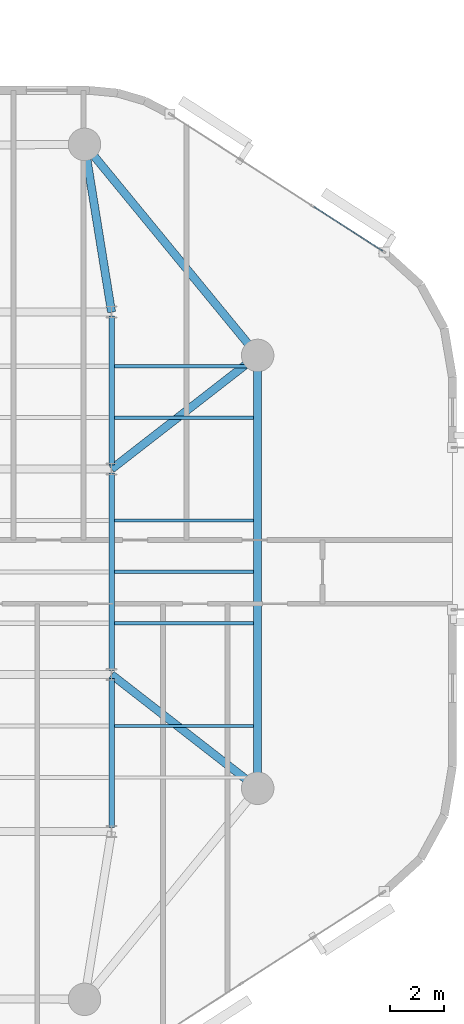
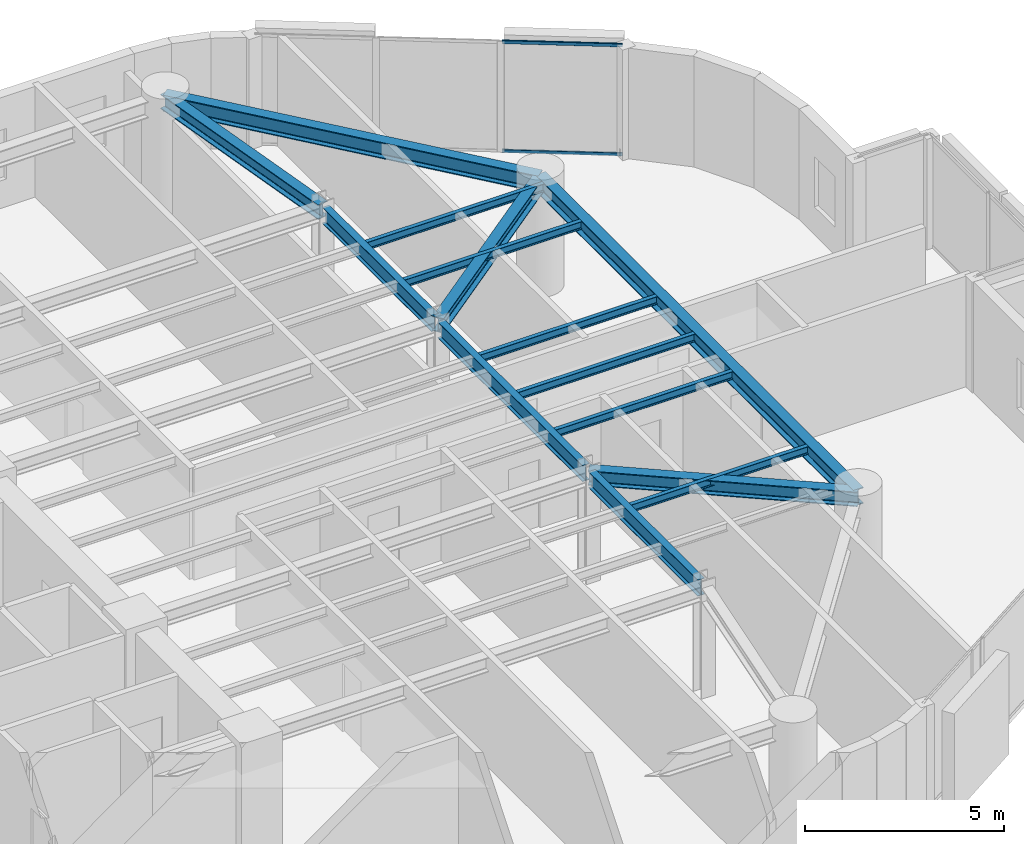
# One storey, part 3 of 13: 14 beams, 2 members, 1 element without a shape of its own.
"""IFC4 building model written with IfcOpenShell, lengths in metres."""

from ifc_helpers import new_model, si_unit, direction, frame, origin, origin_2d, place, context, subcontext, project, spatial, hollow_rectangle, i_section, extrude, material, layer, layer_set, material_profile, profile_set, type_object, element, aggregate, save


model = new_model("IFC4")

# Units and contexts
model_context = context("Model", 3, precision=1e-05, world=origin(), true_north=direction((0.0, 1.0)))
body_context = subcontext(model_context, "Body", "Model", "MODEL_VIEW")
ifc_project = project(units=[si_unit("LENGTHUNIT", "METRE"), si_unit("AREAUNIT", "SQUARE_METRE"), si_unit("VOLUMEUNIT", "CUBIC_METRE"), si_unit("PLANEANGLEUNIT", "RADIAN"), si_unit("MASSUNIT", "GRAM", prefix="KILO")], contexts=[model_context])

# Site, building, storey
site_placement = place(None, origin())
site = spatial("IfcSite", under=ifc_project, at=site_placement, CompositionType="ELEMENT")
building_placement = place(site_placement, origin())
building = spatial("IfcBuilding", under=site, at=building_placement, Name="An Khanh Terracotta Commons", CompositionType="ELEMENT")
storey_placement = place(building_placement, frame((0.0, 0.0, 183.39990234375)))
storey = spatial("IfcBuildingStorey", under=building, at=storey_placement, Name="L48", CompositionType="ELEMENT", Elevation=183.39990234375)

# Beams
ifc_material_1 = material(Name="Steel S355J2", Category="steel")
ifc_material_profile_1 = material_profile(ifc_material_1, i_section(OverallWidth=0.300048828125, OverallDepth=0.449951171875, WebThickness=0.013916015625, FlangeThickness=0.02587890625, FilletRadius=0.027099609375, at=origin_2d()), Name="HEB450")
ifc_profile_set_1 = profile_set([ifc_material_profile_1], Name="Steel S355J2")
beam_type_1 = type_object("IfcBeamType", Name="BM-HEB450", PredefinedType="BEAM", material=ifc_profile_set_1)
for number, where, z_axis, x_axis, name in (
    (1, (55.800048828125, 16.0, 3.175048828125), (-0.789363746927, 0.61392578952, 0.0), (-0.61392578952, -0.789363746927, 0.0), "L48 Mega-Column Tie Girder 3"),
    (2, (55.800048828125, 32.0, 3.175048828125), (-0.789363746927, -0.61392578952, 0.0), (0.61392578952, -0.789363746927, 0.0), "L48 Mega-Column Tie Girder 4"),
):
    element("IfcBeam", number, at=place(storey_placement, frame(where, z_axis=z_axis, x_axis=x_axis)), inside=storey, type_object=beam_type_1, Name=name, PredefinedType="BEAM", context=body_context, shape_type="SweptSolid", body=[
        extrude(i_section(OverallWidth=0.300048828125, OverallDepth=0.449951171875, WebThickness=0.013916015625, FlangeThickness=0.02587890625, FilletRadius=0.027099609375, at=origin_2d()), origin(), (0.0, 0.0, 1.0), 6.841064453125),
    ])
beam_1_placement = place(storey_placement, frame((49.39990234375, 39.800048828125, 3.175048828125), z_axis=(0.159233661074, -0.987240923575, 0.0), x_axis=(0.987240923575, 0.159233661074, 0.0)))
element("IfcBeam", 3, at=beam_1_placement, inside=storey, type_object=beam_type_1, Name="L48 Mega-Column Tie Girder 5", PredefinedType="BEAM", context=body_context, shape_type="SweptSolid", body=[
    extrude(i_section(OverallWidth=0.300048828125, OverallDepth=0.449951171875, WebThickness=0.013916015625, FlangeThickness=0.02587890625, FilletRadius=0.027099609375, at=origin_2d()), origin(), (0.0, 0.0, 1.0), 6.280029296875),
])
ifc_material_profile_2 = material_profile(ifc_material_1, i_section(OverallWidth=0.300048828125, OverallDepth=0.5, WebThickness=0.014404296875, FlangeThickness=0.028076171875, FilletRadius=0.027099609375, at=origin_2d()), Name="HEB500")
ifc_profile_set_2 = profile_set([ifc_material_profile_2], Name="Steel S355J2")
beam_type_2 = type_object("IfcBeamType", Name="BM-HEB500", PredefinedType="BEAM", material=ifc_profile_set_2)
beam_2_placement = place(storey_placement, frame((55.800048828125, 16.0, 3.150146484375), z_axis=(0.0, 1.0, 0.0), x_axis=(-1.0, 0.0, 0.0)))
element("IfcBeam", 4, at=beam_2_placement, inside=storey, type_object=beam_type_2, Name="L48 Perimeter Ring Spandrel 3", PredefinedType="BEAM", context=body_context, shape_type="SweptSolid", body=[
    extrude(i_section(OverallWidth=0.300048828125, OverallDepth=0.5, WebThickness=0.014404296875, FlangeThickness=0.028076171875, FilletRadius=0.027099609375, at=origin_2d()), origin(), (0.0, 0.0, 1.0), 16.0),
])
beam_3_placement = place(storey_placement, frame((55.800048828125, 32.0, 3.150146484375), z_axis=(-0.634322915223, 0.7730681983, 0.0), x_axis=(-0.7730681983, -0.634322915223, 0.0)))
element("IfcBeam", 5, at=beam_3_placement, inside=storey, type_object=beam_type_2, Name="L48 Perimeter Ring Spandrel 4", PredefinedType="BEAM", context=body_context, shape_type="SweptSolid", body=[
    extrude(i_section(OverallWidth=0.300048828125, OverallDepth=0.5, WebThickness=0.014404296875, FlangeThickness=0.028076171875, FilletRadius=0.027099609375, at=origin_2d()), origin(), (0.0, 0.0, 1.0), 10.08984375),
])
ifc_material_profile_3 = material_profile(ifc_material_1, i_section(OverallWidth=0.1201171875, OverallDepth=0.239990234375, WebThickness=0.006103515625, FlangeThickness=0.009765625, FilletRadius=0.014892578125, at=origin_2d()), Name="IPE240")
ifc_profile_set_3 = profile_set([ifc_material_profile_3], Name="Steel S355J2")
beam_type_3 = type_object("IfcBeamType", Name="BM-IPE240", PredefinedType="JOIST", material=ifc_profile_set_3)
for number, where, z_axis, x_axis, name in (
    (6, (50.5, 18.300048828125, 3.280029296875), (1.0, 0.0, 0.0), (0.0, 1.0, 0.0), "L48 Riverfront Composite Joist 2"),
    (7, (50.5, 22.10009765625, 3.280029296875), (1.0, 0.0, 0.0), (0.0, 1.0, 0.0), "L48 Riverfront Composite Joist 3"),
    (8, (50.5, 24.0, 3.280029296875), (1.0, 0.0, 0.0), (0.0, 1.0, 0.0), "L48 Riverfront Composite Joist 4"),
    (9, (50.5, 25.89990234375, 3.280029296875), (1.0, 0.0, 0.0), (0.0, 1.0, 0.0), "L48 Riverfront Composite Joist 5"),
    (10, (50.5, 29.699951171875, 3.280029296875), (1.0, 0.0, 0.0), (0.0, 1.0, 0.0), "L48 Riverfront Composite Joist 6"),
    (11, (50.5, 31.60009765625, 3.280029296875), (1.0, 0.0, 0.0), (0.0, 1.0, 0.0), "L48 Riverfront Composite Joist 7"),
):
    element("IfcBeam", number, at=place(storey_placement, frame(where, z_axis=z_axis, x_axis=x_axis)), inside=storey, type_object=beam_type_3, Name=name, PredefinedType="JOIST", context=body_context, shape_type="SweptSolid", body=[
        extrude(i_section(OverallWidth=0.1201171875, OverallDepth=0.239990234375, WebThickness=0.006103515625, FlangeThickness=0.009765625, FilletRadius=0.014892578125, at=origin_2d()), origin(), (0.0, 0.0, 1.0), 5.14990234375),
    ])
ifc_material_profile_4 = material_profile(ifc_material_1, i_section(OverallWidth=0.199951171875, OverallDepth=0.5, WebThickness=0.01025390625, FlangeThickness=0.01611328125, FilletRadius=0.02099609375, at=origin_2d()), Name="IPE500")
ifc_profile_set_4 = profile_set([ifc_material_profile_4], Name="Steel S355J2")
beam_type_4 = type_object("IfcBeamType", Name="BM-IPE500", PredefinedType="BEAM", material=ifc_profile_set_4)
beam_4_placement = place(storey_placement, frame((50.39990234375, 14.550048828125, 3.150146484375), z_axis=(0.0, 1.0, 0.0), x_axis=(-1.0, 0.0, 0.0)))
element("IfcBeam", 12, at=beam_4_placement, inside=storey, type_object=beam_type_4, Name="L48 East Spine Girder 1", PredefinedType="BEAM", context=body_context, shape_type="SweptSolid", body=[
    extrude(i_section(OverallWidth=0.199951171875, OverallDepth=0.5, WebThickness=0.01025390625, FlangeThickness=0.01611328125, FilletRadius=0.02099609375, at=origin_2d()), origin(), (0.0, 0.0, 1.0), 5.5),
])
beam_5_placement = place(storey_placement, frame((50.39990234375, 20.35009765625, 3.150146484375), z_axis=(0.0, 1.0, 0.0), x_axis=(-1.0, 0.0, 0.0)))
element("IfcBeam", 13, at=beam_5_placement, inside=storey, type_object=beam_type_4, Name="L48 East Spine Girder 2", PredefinedType="BEAM", context=body_context, shape_type="SweptSolid", body=[
    extrude(i_section(OverallWidth=0.199951171875, OverallDepth=0.5, WebThickness=0.01025390625, FlangeThickness=0.01611328125, FilletRadius=0.02099609375, at=origin_2d()), origin(), (0.0, 0.0, 1.0), 7.2998046875),
])
beam_6_placement = place(storey_placement, frame((50.39990234375, 27.949951171875, 3.150146484375), z_axis=(0.0, 1.0, 0.0), x_axis=(-1.0, 0.0, 0.0)))
element("IfcBeam", 14, at=beam_6_placement, inside=storey, type_object=beam_type_4, Name="L48 East Spine Girder 3", PredefinedType="BEAM", context=body_context, shape_type="SweptSolid", body=[
    extrude(i_section(OverallWidth=0.199951171875, OverallDepth=0.5, WebThickness=0.01025390625, FlangeThickness=0.01611328125, FilletRadius=0.02099609375, at=origin_2d()), origin(), (0.0, 0.0, 1.0), 5.5),
])

# Curtain wall, members
ifc_material_2 = material(Name="Anodised Aluminium 6063-T6", Category="aluminium")
ifc_layer = layer(ifc_material_2, 0.2099609375, Name="Anodised Aluminium 6063-T6")
ifc_layer_set = layer_set([ifc_layer], Name="Anodised Aluminium 6063-T6")
curtain_wall_type = type_object("IfcCurtainWallType", Name="CW-SYS-03", PredefinedType="USERDEFINED", material=ifc_layer_set)
curtain_wall_placement = place(storey_placement, origin())
curtain_wall = element("IfcCurtainWall", 15, at=curtain_wall_placement, inside=storey, type_object=curtain_wall_type, Name="L48 CW-03 Unitised Curtain Wall CW-L48-16", ObjectType="UNITISED CURTAIN WALL", PredefinedType="USERDEFINED")
ifc_material_profile_5 = material_profile(ifc_material_2, hollow_rectangle(XDim=0.050048828125, YDim=0.10009765625, WallThickness=0.003173828125, InnerFilletRadius=0.003173828125, OuterFilletRadius=0.00634765625, at=origin_2d()), Name="RHS100x50x3.2")
ifc_profile_set_5 = profile_set([ifc_material_profile_5], Name="Anodised Aluminium 6063-T6")
member_type = type_object("IfcMemberType", Name="CWT-RHS100x50x3.2", PredefinedType="USERDEFINED", material=ifc_profile_set_5)
member_1_placement = place(storey_placement, frame((60.419189453125, 35.86181640625, 0.025146484375), z_axis=(-0.840673595852, 0.541542154626, 0.0), x_axis=(-0.541542154626, -0.840673595852, 0.0)))
member_1 = element("IfcMember", 16, at=member_1_placement, type_object=member_type, Name="CW-03 transom 1.1", ObjectType="TRANSOM", PredefinedType="USERDEFINED", context=body_context, shape_type="SweptSolid", body=[
    extrude(hollow_rectangle(XDim=0.050048828125, YDim=0.10009765625, WallThickness=0.003173828125, InnerFilletRadius=0.003173828125, OuterFilletRadius=0.00634765625, at=origin_2d()), origin(), (0.0, 0.0, 1.0), 3.034423828125),
])
member_2_placement = place(storey_placement, frame((60.419189453125, 35.86181640625, 3.375), z_axis=(-0.840673595852, 0.541542154626, 0.0), x_axis=(-0.541542154626, -0.840673595852, 0.0)))
member_2 = element("IfcMember", 17, at=member_2_placement, type_object=member_type, Name="CW-03 transom 1.2", ObjectType="TRANSOM", PredefinedType="USERDEFINED", context=body_context, shape_type="SweptSolid", body=[
    extrude(hollow_rectangle(XDim=0.050048828125, YDim=0.10009765625, WallThickness=0.003173828125, InnerFilletRadius=0.003173828125, OuterFilletRadius=0.00634765625, at=origin_2d()), origin(), (0.0, 0.0, 1.0), 3.034423828125),
])
aggregate(curtain_wall, [member_1, member_2])

save(model, "model.ifc")
